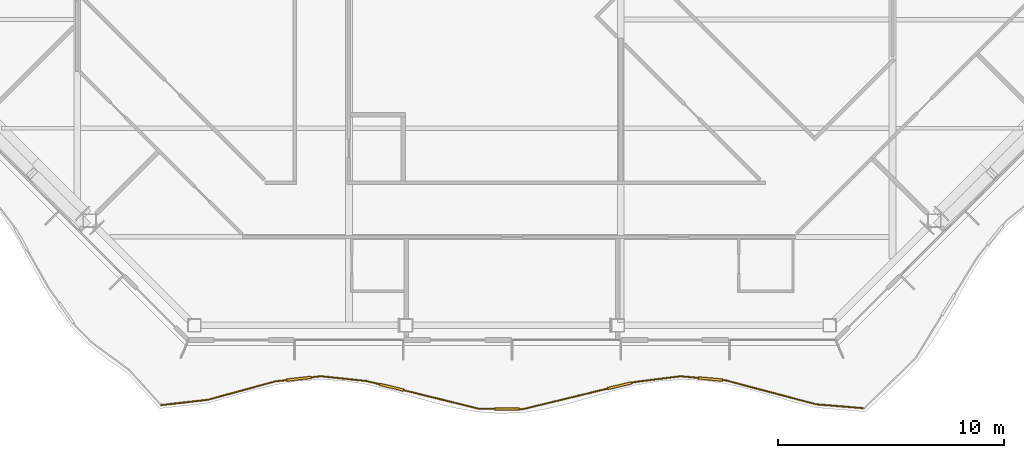
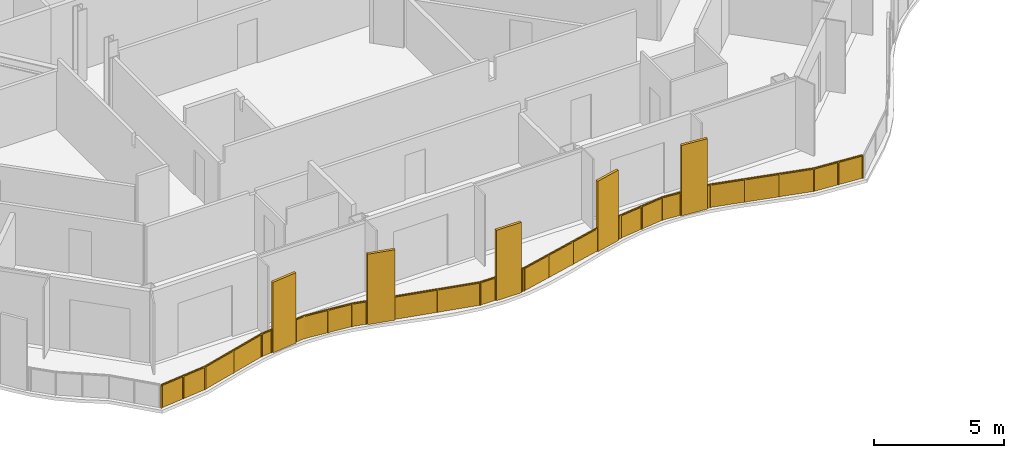
# One storey, part 15 of 19: 1 railing.
"""IFC4 building model written with IfcOpenShell, lengths in metres."""

from ifc_helpers import new_model, si_unit, direction, frame, origin, origin_2d, place, context, subcontext, project, spatial, polyline, rectangle, outline, extrude, material, type_object, element, save


model = new_model("IFC4")

# Units and contexts
model_context = context("Model", 3, precision=1e-05, world=origin(), true_north=direction((0.0, 1.0)))
body_context = subcontext(model_context, "Body", "Model", "MODEL_VIEW")
ifc_project = project(units=[si_unit("LENGTHUNIT", "METRE"), si_unit("AREAUNIT", "SQUARE_METRE"), si_unit("VOLUMEUNIT", "CUBIC_METRE"), si_unit("PLANEANGLEUNIT", "RADIAN"), si_unit("MASSUNIT", "GRAM", prefix="KILO")], contexts=[model_context])

# Site, building, storey
site_placement = place(None, origin())
site = spatial("IfcSite", under=ifc_project, at=site_placement, CompositionType="ELEMENT")
building_placement = place(site_placement, origin())
building = spatial("IfcBuilding", under=site, at=building_placement, Name="Cairn Pilgrim Tower", CompositionType="ELEMENT")
storey_placement = place(building_placement, frame((0.0, 0.0, 201.0)))
storey = spatial("IfcBuildingStorey", under=building, at=storey_placement, Name="L51", CompositionType="ELEMENT", Elevation=201.0)

# Railing
ifc_material = material(Name="Bronze anodised aluminium rail, posts and fin screens with laminated glass infill", Category="aluminium")
railing_type = type_object("IfcRailingType", Name="BALCONY GUARD WITH FIN SCREENS", PredefinedType="GUARDRAIL", material=ifc_material)
railing_placement = place(storey_placement, frame((-1.092529296875, -26.622802734375, 0.0)))
element("IfcRailing", 1, at=railing_placement, inside=storey, type_object=railing_type, Name="Balcony guard BGF-1 with fin screens", PredefinedType="GUARDRAIL", context=body_context, shape_type="SweptSolid", body=[
    extrude(rectangle(XDim=0.050048828125, YDim=0.050048828125, at=origin_2d()), frame((0.0, 0.0, 1.0751953125), z_axis=(0.993718700808, 0.111906852625, 0.0), x_axis=(-0.111906852625, 0.993718700808, 0.0)), (0.0, 0.0, 1.0), 2.0703125),
    extrude(rectangle(XDim=0.050048828125, YDim=0.050048828125, at=origin_2d()), frame((2.057373046875, 0.231689453125, 1.0751953125), z_axis=(0.964685333333, 0.263405025868, 0.0), x_axis=(-0.263405025868, 0.964685333333, 0.0)), (0.0, 0.0, 1.0), 3.08837890625),
    extrude(rectangle(XDim=1.10009765625, YDim=0.110107421875, at=origin_2d()), frame((6.086181640625, 1.164306640625, 0.0), z_axis=(0.0, 0.0, 1.0), x_axis=(0.993623975651, 0.112744822549, 0.0)), (0.0, 0.0, 1.0), 3.300048828125),
    extrude(rectangle(XDim=0.050048828125, YDim=0.050048828125, at=origin_2d()), frame((5.03662109375, 1.045166015625, 1.0751953125), z_axis=(0.993623975651, 0.112744822549, 0.0), x_axis=(-0.112744822549, 0.993623975651, 0.0)), (0.0, 0.0, 1.0), 0.50634765625),
    extrude(rectangle(XDim=0.050048828125, YDim=0.050048828125, at=origin_2d()), frame((6.6328125, 1.226318359375, 1.0751953125), z_axis=(0.993623975651, 0.112744822549, 0.0), x_axis=(-0.112744822549, 0.993623975651, 0.0)), (0.0, 0.0, 1.0), 0.42041015625),
    extrude(rectangle(XDim=0.050048828125, YDim=0.050048828125, at=origin_2d()), frame((7.050537109375, 1.273681640625, 1.0751953125), z_axis=(0.994540431852, -0.104351949727, 0.0), x_axis=(0.104351949727, 0.994540431852, 0.0)), (0.0, 0.0, 1.0), 2.023681640625),
    extrude(rectangle(XDim=1.10009765625, YDim=0.110107421875, at=origin_2d()), frame((10.178466796875, 0.78759765625, 0.0), z_axis=(0.0, 0.0, 1.0), x_axis=(0.970944170852, -0.239306115863, 0.0)), (0.0, 0.0, 1.0), 3.300048828125),
    extrude(rectangle(XDim=0.050048828125, YDim=0.050048828125, at=origin_2d()), frame((9.063232421875, 1.0625, 1.0751953125), z_axis=(0.970944170852, -0.239306115863, 0.0), x_axis=(0.239306115863, 0.970944170852, 0.0)), (0.0, 0.0, 1.0), 0.5986328125),
    extrude(rectangle(XDim=0.050048828125, YDim=0.050048828125, at=origin_2d()), frame((10.71240234375, 0.656005859375, 1.0751953125), z_axis=(0.970944170852, -0.239306115863, 0.0), x_axis=(0.239306115863, 0.970944170852, 0.0)), (0.0, 0.0, 1.0), 3.40869140625),
    extrude(rectangle(XDim=1.10009765625, YDim=0.110107421875, at=origin_2d()), frame((15.27197265625, -0.17333984375, 0.0), z_axis=(0.0, 0.0, 1.0), x_axis=(0.999940679815, -0.010892054482, 0.0)), (0.0, 0.0, 1.0), 3.300048828125),
    extrude(rectangle(XDim=0.050048828125, YDim=0.050048828125, at=origin_2d()), frame((14.02197265625, -0.15966796875, 1.0751953125), z_axis=(0.999940679815, -0.010892054482, 0.0), x_axis=(0.010892054482, 0.999940679815, 0.0)), (0.0, 0.0, 1.0), 0.699951171875),
    extrude(rectangle(XDim=0.050048828125, YDim=0.050048828125, at=origin_2d()), frame((15.82177734375, -0.17919921875, 1.0751953125), z_axis=(0.999940679815, -0.010892054482, 0.0), x_axis=(0.010892054482, 0.999940679815, 0.0)), (0.0, 0.0, 1.0), 0.150146484375),
    extrude(rectangle(XDim=1.10009765625, YDim=0.110107421875, at=origin_2d()), frame((20.247314453125, 0.8564453125, 0.0), z_axis=(0.0, 0.0, 1.0), x_axis=(0.971803247777, 0.235793230629, 0.0)), (0.0, 0.0, 1.0), 3.300048828125),
    extrude(rectangle(XDim=0.050048828125, YDim=0.050048828125, at=origin_2d()), frame((15.971923828125, -0.180908203125, 1.0751953125), z_axis=(0.971803247777, 0.235793230629, 0.0), x_axis=(-0.235793230629, 0.971803247777, 0.0)), (0.0, 0.0, 1.0), 3.849365234375),
    extrude(rectangle(XDim=0.050048828125, YDim=0.050048828125, at=origin_2d()), frame((20.78173828125, 0.986083984375, 1.0751953125), z_axis=(0.971803247777, 0.235793230629, 0.0), x_axis=(-0.235793230629, 0.971803247777, 0.0)), (0.0, 0.0, 1.0), 0.14990234375),
    extrude(rectangle(XDim=0.050048828125, YDim=0.050048828125, at=origin_2d()), frame((20.927490234375, 1.021484375, 1.0751953125), z_axis=(0.992301951764, 0.123841982082, 0.0), x_axis=(-0.123841982082, 0.992301951764, 0.0)), (0.0, 0.0, 1.0), 2.026611328125),
    extrude(rectangle(XDim=1.10009765625, YDim=0.110107421875, at=origin_2d()), frame((24.25634765625, 1.149658203125, 0.0), z_axis=(0.0, 0.0, 1.0), x_axis=(0.995686972603, -0.092776357922, 0.0)), (0.0, 0.0, 1.0), 3.300048828125),
    extrude(rectangle(XDim=0.050048828125, YDim=0.050048828125, at=origin_2d()), frame((22.9384765625, 1.2724609375, 1.0751953125), z_axis=(0.995686972603, -0.092776357922, 0.0), x_axis=(0.092776357922, 0.995686972603, 0.0)), (0.0, 0.0, 1.0), 0.7734375),
    extrude(rectangle(XDim=0.050048828125, YDim=0.050048828125, at=origin_2d()), frame((24.803955078125, 1.0986328125, 1.0751953125), z_axis=(0.995686972603, -0.092776357922, 0.0), x_axis=(0.092776357922, 0.995686972603, 0.0)), (0.0, 0.0, 1.0), 0.150146484375),
    extrude(rectangle(XDim=0.050048828125, YDim=0.050048828125, at=origin_2d()), frame((24.953369140625, 1.084716796875, 1.0751953125), z_axis=(0.966649867977, -0.256101606281, 0.0), x_axis=(0.256101606281, 0.966649867977, 0.0)), (0.0, 0.0, 1.0), 4.108642578125),
    extrude(rectangle(XDim=0.050048828125, YDim=0.050048828125, at=origin_2d()), frame((28.925048828125, 0.032470703125, 1.0751953125), z_axis=(0.996693990086, -0.081247093031, 0.0), x_axis=(0.081247093031, 0.996693990086, 0.0)), (0.0, 0.0, 1.0), 2.0673828125),
    extrude(rectangle(XDim=0.050048828125, YDim=0.050048828125, at=origin_2d()), origin(), (0.0, 0.0, 1.0), 1.050048828125),
    extrude(rectangle(XDim=0.050048828125, YDim=0.050048828125, at=origin_2d()), frame((1.02880859375, 0.11572265625, 0.0)), (0.0, 0.0, 1.0), 1.050048828125),
    extrude(rectangle(XDim=0.050048828125, YDim=0.050048828125, at=origin_2d()), frame((2.057373046875, 0.231689453125, 0.0)), (0.0, 0.0, 1.0), 1.050048828125),
    extrude(rectangle(XDim=0.050048828125, YDim=0.050048828125, at=origin_2d()), frame((3.546875, 0.638427734375, 0.0)), (0.0, 0.0, 1.0), 1.050048828125),
    extrude(rectangle(XDim=0.050048828125, YDim=0.050048828125, at=origin_2d()), frame((5.03662109375, 1.045166015625, 0.0)), (0.0, 0.0, 1.0), 1.050048828125),
    extrude(rectangle(XDim=0.050048828125, YDim=0.050048828125, at=origin_2d()), frame((5.514892578125, 1.099365234375, 0.0)), (0.0, 0.0, 1.0), 1.050048828125),
    extrude(rectangle(XDim=0.050048828125, YDim=0.050048828125, at=origin_2d()), frame((6.657470703125, 1.22900390625, 0.0)), (0.0, 0.0, 1.0), 1.050048828125),
    extrude(rectangle(XDim=0.050048828125, YDim=0.050048828125, at=origin_2d()), frame((7.050537109375, 1.273681640625, 0.0)), (0.0, 0.0, 1.0), 1.050048828125),
    extrude(rectangle(XDim=0.050048828125, YDim=0.050048828125, at=origin_2d()), frame((8.056884765625, 1.16796875, 0.0)), (0.0, 0.0, 1.0), 1.050048828125),
    extrude(rectangle(XDim=0.050048828125, YDim=0.050048828125, at=origin_2d()), frame((9.063232421875, 1.0625, 0.0)), (0.0, 0.0, 1.0), 1.050048828125),
    extrude(rectangle(XDim=0.050048828125, YDim=0.050048828125, at=origin_2d()), frame((9.6201171875, 0.92529296875, 0.0)), (0.0, 0.0, 1.0), 1.050048828125),
    extrude(rectangle(XDim=0.050048828125, YDim=0.050048828125, at=origin_2d()), frame((10.73681640625, 0.650146484375, 0.0)), (0.0, 0.0, 1.0), 1.050048828125),
    extrude(rectangle(XDim=0.050048828125, YDim=0.050048828125, at=origin_2d()), frame((12.37939453125, 0.2451171875, 0.0)), (0.0, 0.0, 1.0), 1.050048828125),
    extrude(rectangle(XDim=0.050048828125, YDim=0.050048828125, at=origin_2d()), frame((14.02197265625, -0.15966796875, 0.0)), (0.0, 0.0, 1.0), 1.050048828125),
    extrude(rectangle(XDim=0.050048828125, YDim=0.050048828125, at=origin_2d()), frame((14.697021484375, -0.1669921875, 0.0)), (0.0, 0.0, 1.0), 1.050048828125),
    extrude(rectangle(XDim=0.050048828125, YDim=0.050048828125, at=origin_2d()), frame((15.846923828125, -0.179443359375, 0.0)), (0.0, 0.0, 1.0), 1.050048828125),
    extrude(rectangle(XDim=0.050048828125, YDim=0.050048828125, at=origin_2d()), frame((15.971923828125, -0.180908203125, 0.0)), (0.0, 0.0, 1.0), 1.050048828125),
    extrude(rectangle(XDim=0.050048828125, YDim=0.050048828125, at=origin_2d()), frame((17.210693359375, 0.11962890625, 0.0)), (0.0, 0.0, 1.0), 1.050048828125),
    extrude(rectangle(XDim=0.050048828125, YDim=0.050048828125, at=origin_2d()), frame((18.449462890625, 0.420166015625, 0.0)), (0.0, 0.0, 1.0), 1.050048828125),
    extrude(rectangle(XDim=0.050048828125, YDim=0.050048828125, at=origin_2d()), frame((19.6884765625, 0.720947265625, 0.0)), (0.0, 0.0, 1.0), 1.050048828125),
    extrude(rectangle(XDim=0.050048828125, YDim=0.050048828125, at=origin_2d()), frame((20.805908203125, 0.991943359375, 0.0)), (0.0, 0.0, 1.0), 1.050048828125),
    extrude(rectangle(XDim=0.050048828125, YDim=0.050048828125, at=origin_2d()), frame((20.927490234375, 1.021484375, 0.0)), (0.0, 0.0, 1.0), 1.050048828125),
    extrude(rectangle(XDim=0.050048828125, YDim=0.050048828125, at=origin_2d()), frame((21.93310546875, 1.14697265625, 0.0)), (0.0, 0.0, 1.0), 1.050048828125),
    extrude(rectangle(XDim=0.050048828125, YDim=0.050048828125, at=origin_2d()), frame((22.9384765625, 1.2724609375, 0.0)), (0.0, 0.0, 1.0), 1.050048828125),
    extrude(rectangle(XDim=0.050048828125, YDim=0.050048828125, at=origin_2d()), frame((23.68359375, 1.203125, 0.0)), (0.0, 0.0, 1.0), 1.050048828125),
    extrude(rectangle(XDim=0.050048828125, YDim=0.050048828125, at=origin_2d()), frame((24.828857421875, 1.096435546875, 0.0)), (0.0, 0.0, 1.0), 1.050048828125),
    extrude(rectangle(XDim=0.050048828125, YDim=0.050048828125, at=origin_2d()), frame((24.953369140625, 1.084716796875, 0.0)), (0.0, 0.0, 1.0), 1.050048828125),
    extrude(rectangle(XDim=0.050048828125, YDim=0.050048828125, at=origin_2d()), frame((26.27734375, 0.73388671875, 0.0)), (0.0, 0.0, 1.0), 1.050048828125),
    extrude(rectangle(XDim=0.050048828125, YDim=0.050048828125, at=origin_2d()), frame((27.60107421875, 0.38330078125, 0.0)), (0.0, 0.0, 1.0), 1.050048828125),
    extrude(rectangle(XDim=0.050048828125, YDim=0.050048828125, at=origin_2d()), frame((28.925048828125, 0.032470703125, 0.0)), (0.0, 0.0, 1.0), 1.050048828125),
    extrude(rectangle(XDim=0.050048828125, YDim=0.050048828125, at=origin_2d()), frame((29.955322265625, -0.051513671875, 0.0)), (0.0, 0.0, 1.0), 1.050048828125),
    extrude(rectangle(XDim=0.050048828125, YDim=0.050048828125, at=origin_2d()), frame((30.985595703125, -0.135498046875, 0.0)), (0.0, 0.0, 1.0), 1.050048828125),
    extrude(outline(polyline([(0.02490234375, 0.0), (1.01025390625, 0.0), (1.01025390625, 1.050048828125), (0.02490234375, 1.050048828125), (0.02490234375, 0.0)])), frame((-0.000732421875, 0.005859375, 0.0), z_axis=(0.111906852625, -0.993718700808, 0.0), x_axis=(0.993718700808, 0.111906852625, 0.0)), (0.0, 0.0, 1.0), 0.011962890625),
    extrude(outline(polyline([(0.02490234375, 0.0), (1.01025390625, 0.0), (1.01025390625, 1.050048828125), (0.02490234375, 1.050048828125), (0.02490234375, 0.0)])), frame((1.028076171875, 0.121826171875, 0.0), z_axis=(0.111906852625, -0.993718700808, 0.0), x_axis=(0.993718700808, 0.111906852625, 0.0)), (0.0, 0.0, 1.0), 0.011962890625),
    extrude(outline(polyline([(0.02490234375, 0.0), (1.51904296875, 0.0), (1.51904296875, 1.050048828125), (0.02490234375, 1.050048828125), (0.02490234375, 0.0)])), frame((2.055908203125, 0.237548828125, 0.0), z_axis=(0.263405025868, -0.964685333333, 0.0), x_axis=(0.964685333333, 0.263405025868, 0.0)), (0.0, 0.0, 1.0), 0.011962890625),
    extrude(outline(polyline([(0.02490234375, 0.0), (1.51904296875, 0.0), (1.51904296875, 1.050048828125), (0.02490234375, 1.050048828125), (0.02490234375, 0.0)])), frame((3.54541015625, 0.644287109375, 0.0), z_axis=(0.263405025868, -0.964685333333, 0.0), x_axis=(0.964685333333, 0.263405025868, 0.0)), (0.0, 0.0, 1.0), 0.011962890625),
    extrude(outline(polyline([(0.02490234375, 0.0), (0.456298828125, 0.0), (0.456298828125, 1.050048828125), (0.02490234375, 1.050048828125), (0.02490234375, 0.0)])), frame((5.035888671875, 1.051025390625, 0.0), z_axis=(0.112744822549, -0.993623975651, 0.0), x_axis=(0.993623975651, 0.112744822549, 0.0)), (0.0, 0.0, 1.0), 0.011962890625),
    extrude(outline(polyline([(0.02490234375, 0.0), (0.370361328125, 0.0), (0.370361328125, 1.050048828125), (0.02490234375, 1.050048828125), (0.02490234375, 0.0)])), frame((6.656982421875, 1.235107421875, 0.0), z_axis=(0.112744822549, -0.993623975651, 0.0), x_axis=(0.993623975651, 0.112744822549, 0.0)), (0.0, 0.0, 1.0), 0.011962890625),
    extrude(outline(polyline([(0.02490234375, 0.0), (0.98681640625, 0.0), (0.98681640625, 1.050048828125), (0.02490234375, 1.050048828125), (0.02490234375, 0.0)])), frame((7.05126953125, 1.279541015625, 0.0), z_axis=(-0.104351949727, -0.994540431852, 0.0), x_axis=(0.994540431852, -0.104351949727, 0.0)), (0.0, 0.0, 1.0), 0.011962890625),
    extrude(outline(polyline([(0.02490234375, 0.0), (0.98681640625, 0.0), (0.98681640625, 1.050048828125), (0.02490234375, 1.050048828125), (0.02490234375, 0.0)])), frame((8.0576171875, 1.174072265625, 0.0), z_axis=(-0.104351949727, -0.994540431852, 0.0), x_axis=(0.994540431852, -0.104351949727, 0.0)), (0.0, 0.0, 1.0), 0.011962890625),
    extrude(outline(polyline([(0.02490234375, 0.0), (0.548583984375, 0.0), (0.548583984375, 1.050048828125), (0.02490234375, 1.050048828125), (0.02490234375, 0.0)])), frame((9.064697265625, 1.068359375, 0.0), z_axis=(-0.239306115863, -0.970944170852, 0.0), x_axis=(0.970944170852, -0.239306115863, 0.0)), (0.0, 0.0, 1.0), 0.011962890625),
    extrude(outline(polyline([(0.02490234375, 0.0), (1.666748046875, 0.0), (1.666748046875, 1.050048828125), (0.02490234375, 1.050048828125), (0.02490234375, 0.0)])), frame((10.738037109375, 0.65576171875, 0.0), z_axis=(-0.239306115863, -0.970944170852, 0.0), x_axis=(0.970944170852, -0.239306115863, 0.0)), (0.0, 0.0, 1.0), 0.011962890625),
    extrude(outline(polyline([(0.02490234375, 0.0), (1.666748046875, 0.0), (1.666748046875, 1.050048828125), (0.02490234375, 1.050048828125), (0.02490234375, 0.0)])), frame((12.380859375, 0.2509765625, 0.0), z_axis=(-0.239306115863, -0.970944170852, 0.0), x_axis=(0.970944170852, -0.239306115863, 0.0)), (0.0, 0.0, 1.0), 0.011962890625),
    extrude(outline(polyline([(0.02490234375, 0.0), (0.64990234375, 0.0), (0.64990234375, 1.050048828125), (0.02490234375, 1.050048828125), (0.02490234375, 0.0)])), frame((14.02197265625, -0.15380859375, 0.0), z_axis=(-0.010892054482, -0.999940679815, 0.0), x_axis=(0.999940679815, -0.010892054482, 0.0)), (0.0, 0.0, 1.0), 0.011962890625),
    extrude(outline(polyline([(0.02490234375, 0.0), (0.10009765625, 0.0), (0.10009765625, 1.050048828125), (0.02490234375, 1.050048828125), (0.02490234375, 0.0)])), frame((15.846923828125, -0.173583984375, 0.0), z_axis=(-0.010892054482, -0.999940679815, 0.0), x_axis=(0.999940679815, -0.010892054482, 0.0)), (0.0, 0.0, 1.0), 0.011962890625),
    extrude(outline(polyline([(0.02490234375, 0.0), (1.249755859375, 0.0), (1.249755859375, 1.050048828125), (0.02490234375, 1.050048828125), (0.02490234375, 0.0)])), frame((15.970458984375, -0.175048828125, 0.0), z_axis=(0.235793230629, -0.971803247777, 0.0), x_axis=(0.971803247777, 0.235793230629, 0.0)), (0.0, 0.0, 1.0), 0.011962890625),
    extrude(outline(polyline([(0.02490234375, 0.0), (1.249755859375, 0.0), (1.249755859375, 1.050048828125), (0.02490234375, 1.050048828125), (0.02490234375, 0.0)])), frame((17.209228515625, 0.12548828125, 0.0), z_axis=(0.235793230629, -0.971803247777, 0.0), x_axis=(0.971803247777, 0.235793230629, 0.0)), (0.0, 0.0, 1.0), 0.011962890625),
    extrude(outline(polyline([(0.02490234375, 0.0), (1.249755859375, 0.0), (1.249755859375, 1.050048828125), (0.02490234375, 1.050048828125), (0.02490234375, 0.0)])), frame((18.4482421875, 0.426025390625, 0.0), z_axis=(0.235793230629, -0.971803247777, 0.0), x_axis=(0.971803247777, 0.235793230629, 0.0)), (0.0, 0.0, 1.0), 0.011962890625),
    extrude(outline(polyline([(0.02490234375, 0.0), (0.099853515625, 0.0), (0.099853515625, 1.050048828125), (0.02490234375, 1.050048828125), (0.02490234375, 0.0)])), frame((20.8046875, 0.997802734375, 0.0), z_axis=(0.235793230629, -0.971803247777, 0.0), x_axis=(0.971803247777, 0.235793230629, 0.0)), (0.0, 0.0, 1.0), 0.011962890625),
    extrude(outline(polyline([(0.02490234375, 0.0), (0.98828125, 0.0), (0.98828125, 1.050048828125), (0.02490234375, 1.050048828125), (0.02490234375, 0.0)])), frame((20.9267578125, 1.02734375, 0.0), z_axis=(0.123841982082, -0.992301951764, 0.0), x_axis=(0.992301951764, 0.123841982082, 0.0)), (0.0, 0.0, 1.0), 0.011962890625),
    extrude(outline(polyline([(0.02490234375, 0.0), (0.98828125, 0.0), (0.98828125, 1.050048828125), (0.02490234375, 1.050048828125), (0.02490234375, 0.0)])), frame((21.93212890625, 1.15283203125, 0.0), z_axis=(0.123841982082, -0.992301951764, 0.0), x_axis=(0.992301951764, 0.123841982082, 0.0)), (0.0, 0.0, 1.0), 0.011962890625),
    extrude(outline(polyline([(0.02490234375, 0.0), (0.723388671875, 0.0), (0.723388671875, 1.050048828125), (0.02490234375, 1.050048828125), (0.02490234375, 0.0)])), frame((22.93896484375, 1.2783203125, 0.0), z_axis=(-0.092776357922, -0.995686972603, 0.0), x_axis=(0.995686972603, -0.092776357922, 0.0)), (0.0, 0.0, 1.0), 0.011962890625),
    extrude(outline(polyline([(0.02490234375, 0.0), (0.10009765625, 0.0), (0.10009765625, 1.050048828125), (0.02490234375, 1.050048828125), (0.02490234375, 0.0)])), frame((24.829345703125, 1.102294921875, 0.0), z_axis=(-0.092776357922, -0.995686972603, 0.0), x_axis=(0.995686972603, -0.092776357922, 0.0)), (0.0, 0.0, 1.0), 0.011962890625),
    extrude(outline(polyline([(0.02490234375, 0.0), (1.344482421875, 0.0), (1.344482421875, 1.050048828125), (0.02490234375, 1.050048828125), (0.02490234375, 0.0)])), frame((24.954833984375, 1.090576171875, 0.0), z_axis=(-0.256101606281, -0.966649867977, 0.0), x_axis=(0.966649867977, -0.256101606281, 0.0)), (0.0, 0.0, 1.0), 0.011962890625),
    extrude(outline(polyline([(0.02490234375, 0.0), (1.344482421875, 0.0), (1.344482421875, 1.050048828125), (0.02490234375, 1.050048828125), (0.02490234375, 0.0)])), frame((26.27880859375, 0.73974609375, 0.0), z_axis=(-0.256101606281, -0.966649867977, 0.0), x_axis=(0.966649867977, -0.256101606281, 0.0)), (0.0, 0.0, 1.0), 0.011962890625),
    extrude(outline(polyline([(0.02490234375, 0.0), (1.344482421875, 0.0), (1.344482421875, 1.050048828125), (0.02490234375, 1.050048828125), (0.02490234375, 0.0)])), frame((27.602783203125, 0.388916015625, 0.0), z_axis=(-0.256101606281, -0.966649867977, 0.0), x_axis=(0.966649867977, -0.256101606281, 0.0)), (0.0, 0.0, 1.0), 0.011962890625),
    extrude(outline(polyline([(0.02490234375, 0.0), (1.008544921875, 0.0), (1.008544921875, 1.050048828125), (0.02490234375, 1.050048828125), (0.02490234375, 0.0)])), frame((28.925537109375, 0.038330078125, 0.0), z_axis=(-0.081247093031, -0.996693990086, 0.0), x_axis=(0.996693990086, -0.081247093031, 0.0)), (0.0, 0.0, 1.0), 0.011962890625),
    extrude(outline(polyline([(0.02490234375, 0.0), (1.008544921875, 0.0), (1.008544921875, 1.050048828125), (0.02490234375, 1.050048828125), (0.02490234375, 0.0)])), frame((29.955810546875, -0.045654296875, 0.0), z_axis=(-0.081247093031, -0.996693990086, 0.0), x_axis=(0.996693990086, -0.081247093031, 0.0)), (0.0, 0.0, 1.0), 0.011962890625),
])

save(model, "model.ifc")
